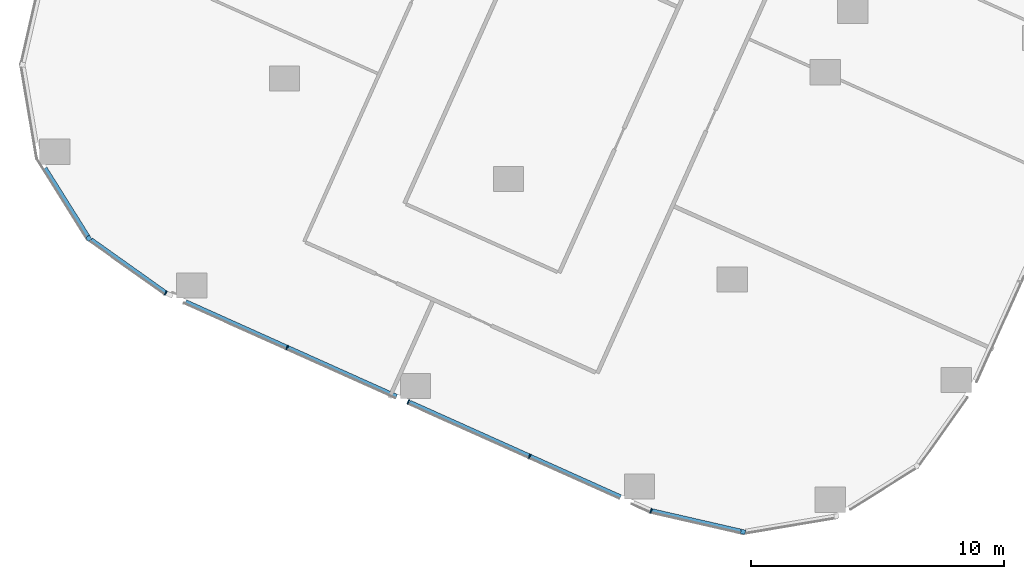
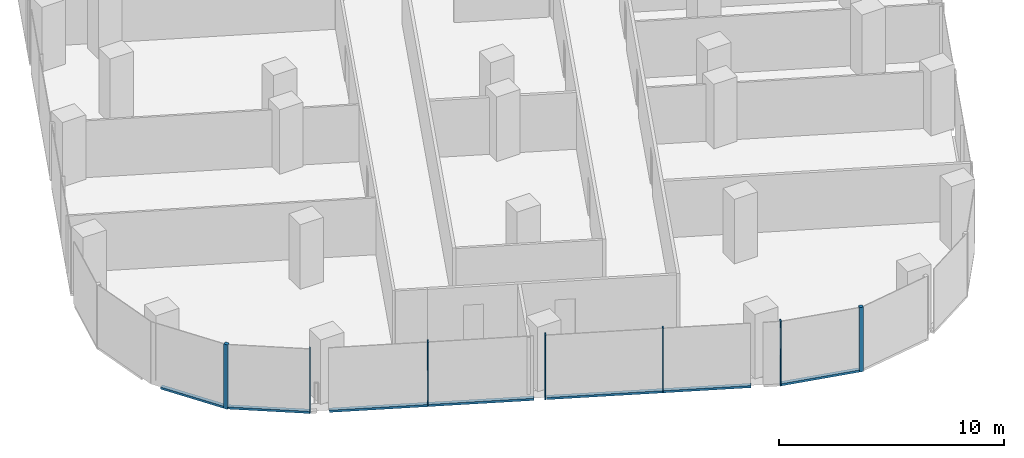
# One storey, part 2 of 34: 12 members, 4 elements without a shape of their own.
"""IFC4 building model written with IfcOpenShell, lengths in metres."""

from ifc_helpers import new_model, si_unit, direction, frame, origin, origin_2d, place, context, subcontext, project, spatial, rectangle, extrude, material, material_profile, profile_set, type_object, element, aggregate, save


model = new_model("IFC4")

# Units and contexts
model_context = context("Model", 3, precision=1e-05, world=origin(), true_north=direction((0.0, 1.0)))
body_context = subcontext(model_context, "Body", "Model", "MODEL_VIEW")
ifc_project = project(units=[si_unit("LENGTHUNIT", "METRE"), si_unit("AREAUNIT", "SQUARE_METRE"), si_unit("VOLUMEUNIT", "CUBIC_METRE"), si_unit("PLANEANGLEUNIT", "RADIAN"), si_unit("MASSUNIT", "GRAM", prefix="KILO")], contexts=[model_context])

# Site, building, storey
site_placement = place(None, origin())
site = spatial("IfcSite", under=ifc_project, at=site_placement, CompositionType="ELEMENT")
building_placement = place(site_placement, origin())
building = spatial("IfcBuilding", under=site, at=building_placement, Name="Orlundy Tower", CompositionType="ELEMENT")
storey_placement = place(building_placement, frame((0.0, 0.0, 130.699951171875)))
storey = spatial("IfcBuildingStorey", under=building, at=storey_placement, Name="L33", CompositionType="ELEMENT", Elevation=130.699951171875)

# Curtain wall, member
ifc_material_1 = material(Name="Aluminium bronze anodised", Category="aluminium")
curtain_wall_type = type_object("IfcCurtainWallType", Name="CW1 wall", PredefinedType="NOTDEFINED", material=ifc_material_1)
curtain_wall_1_placement = place(storey_placement, origin())
curtain_wall_1 = element("IfcCurtainWall", 1, at=curtain_wall_1_placement, inside=storey, type_object=curtain_wall_type, Name="CW1 run 022", PredefinedType="NOTDEFINED")
ifc_material_2 = material(Name="Aluminium bronze anodised", Category="aluminium")
ifc_material_profile_1 = material_profile(ifc_material_2, rectangle(XDim=0.179931640625, YDim=0.179931640625, at=origin_2d()), Name="CW1 corner post 180x180")
ifc_profile_set_1 = profile_set([ifc_material_profile_1], Name="Aluminium bronze anodised")
member_type_1 = type_object("IfcMemberType", Name="CW1 corner post 180x180", PredefinedType="MULLION", material=ifc_profile_set_1)
member_1_placement = place(storey_placement, frame((-11.57861328125, -60.416748046875, -0.39990234375), z_axis=(0.0, 0.0, 1.0), x_axis=(-0.223696612955, -0.974658825104, 0.0)))
member_1 = element("IfcMember", 2, at=member_1_placement, type_object=member_type_1, Name="CW1 mullion 60", PredefinedType="MULLION", context=body_context, shape_type="SweptSolid", body=[
    extrude(rectangle(XDim=0.179931640625, YDim=0.179931640625, at=origin_2d()), origin(), (0.0, 0.0, 1.0), 3.5),
])

curtain_wall_2_placement = place(storey_placement, origin())
curtain_wall_2 = element("IfcCurtainWall", 3, at=curtain_wall_2_placement, inside=storey, type_object=curtain_wall_type, Name="CW1 run 025", PredefinedType="NOTDEFINED")
member_2_placement = place(storey_placement, frame((-37.435791015625, -48.81396484375, -0.39990234375), z_axis=(0.0, 0.0, 1.0), x_axis=(-0.847285276564, -0.531138080086, 0.0)))
member_2 = element("IfcMember", 4, at=member_2_placement, type_object=member_type_1, Name="CW1 mullion 66", PredefinedType="MULLION", context=body_context, shape_type="SweptSolid", body=[
    extrude(rectangle(XDim=0.179931640625, YDim=0.179931640625, at=origin_2d()), origin(), (0.0, 0.0, 1.0), 3.5),
])

# Curtain wall, members
curtain_wall_3_placement = place(storey_placement, origin())
curtain_wall_3 = element("IfcCurtainWall", 5, at=curtain_wall_3_placement, inside=storey, type_object=curtain_wall_type, Name="CW1 run 023", PredefinedType="NOTDEFINED")
ifc_material_3 = material(Name="Aluminium bronze anodised", Category="aluminium")
ifc_material_profile_2 = material_profile(ifc_material_3, rectangle(XDim=0.179931640625, YDim=0.050048828125, at=origin_2d()), Name="CW1 mullion 50x180")
ifc_profile_set_2 = profile_set([ifc_material_profile_2], Name="Aluminium bronze anodised")
member_type_2 = type_object("IfcMemberType", Name="CW1 mullion 50x180", PredefinedType="MULLION", material=ifc_profile_set_2)
member_3_placement = place(storey_placement, frame((-15.216796875, -59.581787109375, -0.39990234375), z_axis=(0.0, 0.0, 1.0), x_axis=(-0.31806418757, -0.948069181329, 0.0)))
member_3 = element("IfcMember", 6, at=member_3_placement, type_object=member_type_2, Name="CW1 mullion 61", PredefinedType="MULLION", context=body_context, shape_type="SweptSolid", body=[
    extrude(rectangle(XDim=0.179931640625, YDim=0.050048828125, at=origin_2d()), origin(), (0.0, 0.0, 1.0), 3.5),
])
member_4_placement = place(storey_placement, frame((-20.014892578125, -57.428955078125, -0.39990234375), z_axis=(0.0, 0.0, 1.0), x_axis=(-0.409374450241, -0.912366461182, 0.0)))
member_4 = element("IfcMember", 7, at=member_4_placement, type_object=member_type_2, Name="CW1 mullion 62", PredefinedType="MULLION", context=body_context, shape_type="SweptSolid", body=[
    extrude(rectangle(XDim=0.179931640625, YDim=0.050048828125, at=origin_2d()), origin(), (0.0, 0.0, 1.0), 3.5),
])
member_5_placement = place(storey_placement, frame((-24.804931640625, -55.279541015625, -0.39990234375), z_axis=(0.0, 0.0, 1.0), x_axis=(-0.409374450241, -0.912366461182, 0.0)))
member_5 = element("IfcMember", 8, at=member_5_placement, type_object=member_type_2, Name="CW1 mullion 63", PredefinedType="MULLION", context=body_context, shape_type="SweptSolid", body=[
    extrude(rectangle(XDim=0.179931640625, YDim=0.050048828125, at=origin_2d()), origin(), (0.0, 0.0, 1.0), 3.5),
])
member_6_placement = place(storey_placement, frame((-29.5947265625, -53.13037109375, -0.39990234375), z_axis=(0.0, 0.0, 1.0), x_axis=(-0.409374450241, -0.912366461182, 0.0)))
member_6 = element("IfcMember", 9, at=member_6_placement, type_object=member_type_2, Name="CW1 mullion 64", PredefinedType="MULLION", context=body_context, shape_type="SweptSolid", body=[
    extrude(rectangle(XDim=0.179931640625, YDim=0.050048828125, at=origin_2d()), origin(), (0.0, 0.0, 1.0), 3.5),
])

# Curtain wall, member
curtain_wall_4_placement = place(storey_placement, origin())
curtain_wall_4 = element("IfcCurtainWall", 10, at=curtain_wall_4_placement, inside=storey, type_object=curtain_wall_type, Name="CW1 run 024", PredefinedType="NOTDEFINED")
member_7_placement = place(storey_placement, frame((-34.392822265625, -50.9775390625, -0.39990234375), z_axis=(0.0, 0.0, 1.0), x_axis=(-0.496816751201, -0.867855469376, 0.0)))
member_7 = element("IfcMember", 11, at=member_7_placement, type_object=member_type_2, Name="CW1 mullion 65", PredefinedType="MULLION", context=body_context, shape_type="SweptSolid", body=[
    extrude(rectangle(XDim=0.179931640625, YDim=0.050048828125, at=origin_2d()), origin(), (0.0, 0.0, 1.0), 3.5),
])

# Member
ifc_material_4 = material(Name="Aluminium bronze anodised", Category="aluminium")
ifc_material_profile_3 = material_profile(ifc_material_4, rectangle(XDim=0.179931640625, YDim=0.1201171875, at=origin_2d()), Name="CW1 transom 180x120")
ifc_profile_set_3 = profile_set([ifc_material_profile_3], Name="Aluminium bronze anodised")
member_type_3 = type_object("IfcMemberType", Name="CW1 transom 180x120", PredefinedType="USERDEFINED", material=ifc_profile_set_3)
member_8_placement = place(storey_placement, frame((-11.66650390625, -60.396484375, -0.33984375), z_axis=(-0.974667990207, 0.223656676329, 0.0), x_axis=(-0.223656676329, -0.974667990207, 0.0)))
member_8 = element("IfcMember", 12, at=member_8_placement, type_object=member_type_3, Name="CW1 transom", ObjectType="TRANSOM", PredefinedType="USERDEFINED", context=body_context, shape_type="SweptSolid", body=[
    extrude(rectangle(XDim=0.179931640625, YDim=0.1201171875, at=origin_2d()), origin(), (0.0, 0.0, 1.0), 3.617431640625),
])

aggregate(curtain_wall_1, [member_1, member_8])

member_9_placement = place(storey_placement, frame((-16.423095703125, -59.04052734375, -0.33984375), z_axis=(-0.912367920635, 0.409371197565, 0.0), x_axis=(-0.409371197565, -0.912367920635, 0.0)))
member_9 = element("IfcMember", 13, at=member_9_placement, type_object=member_type_3, Name="CW1 transom", ObjectType="TRANSOM", PredefinedType="USERDEFINED", context=body_context, shape_type="SweptSolid", body=[
    extrude(rectangle(XDim=0.179931640625, YDim=0.1201171875, at=origin_2d()), origin(), (0.0, 0.0, 1.0), 9.13720703125),
])

member_10_placement = place(storey_placement, frame((-25.27294921875, -55.069580078125, -0.33984375), z_axis=(-0.912372398272, 0.409361218084, 0.0), x_axis=(-0.409361218084, -0.912372398272, 0.0)))
member_10 = element("IfcMember", 14, at=member_10_placement, type_object=member_type_3, Name="CW1 transom", ObjectType="TRANSOM", PredefinedType="USERDEFINED", context=body_context, shape_type="SweptSolid", body=[
    extrude(rectangle(XDim=0.179931640625, YDim=0.1201171875, at=origin_2d()), origin(), (0.0, 0.0, 1.0), 9.137451171875),
])

aggregate(curtain_wall_3, [member_3, member_4, member_5, member_6, member_9, member_10])

member_11_placement = place(storey_placement, frame((-34.413330078125, -50.962890625, -0.33984375), z_axis=(-0.815001442814, 0.579458927114, 0.0), x_axis=(-0.579458927114, -0.815001442814, 0.0)))
member_11 = element("IfcMember", 15, at=member_11_placement, type_object=member_type_3, Name="CW1 transom", ObjectType="TRANSOM", PredefinedType="USERDEFINED", context=body_context, shape_type="SweptSolid", body=[
    extrude(rectangle(XDim=0.179931640625, YDim=0.1201171875, at=origin_2d()), origin(), (0.0, 0.0, 1.0), 3.611083984375),
])

aggregate(curtain_wall_4, [member_7, member_11])

member_12_placement = place(storey_placement, frame((-37.483642578125, -48.73779296875, -0.33984375), z_axis=(-0.531097295616, 0.847310841775, 0.0), x_axis=(-0.847310841775, -0.531097295616, 0.0)))
member_12 = element("IfcMember", 16, at=member_12_placement, type_object=member_type_3, Name="CW1 transom", ObjectType="TRANSOM", PredefinedType="USERDEFINED", context=body_context, shape_type="SweptSolid", body=[
    extrude(rectangle(XDim=0.179931640625, YDim=0.1201171875, at=origin_2d()), origin(), (0.0, 0.0, 1.0), 3.175537109375),
])

aggregate(curtain_wall_2, [member_2, member_12])

save(model, "model.ifc")
